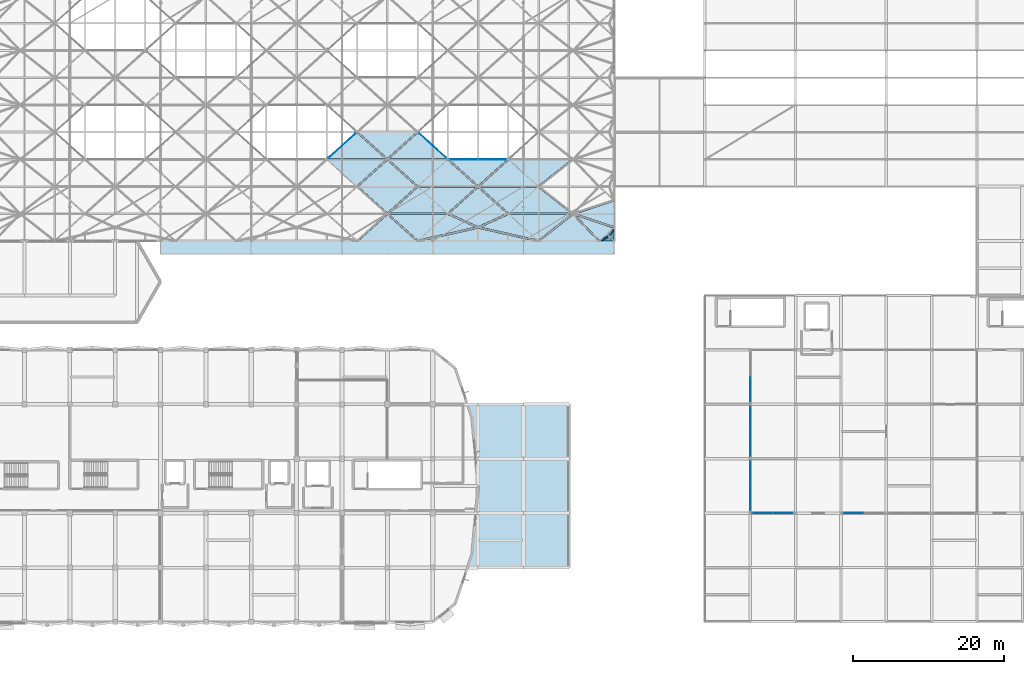
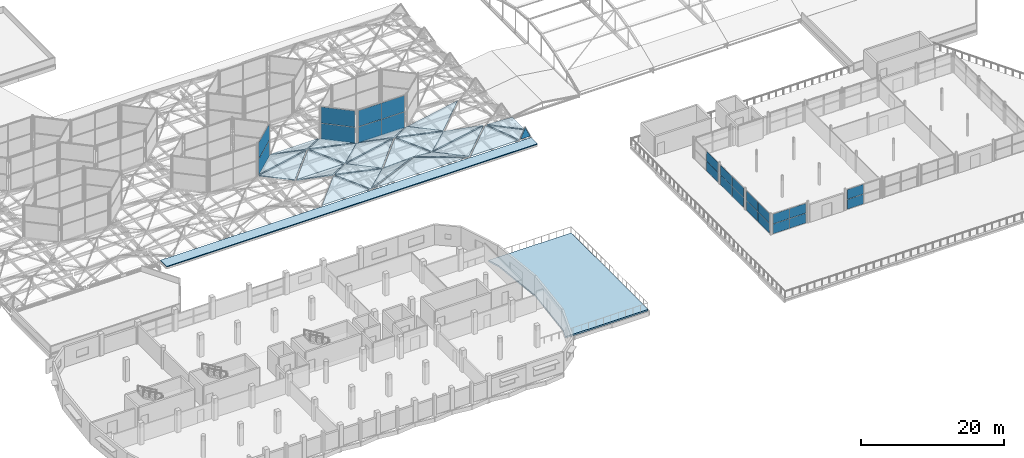
# One storey, part 211 of 239: 31 slabs, 24 plates, 8 elements without a shape of their own.
"""IFC4 building model written with IfcOpenShell, lengths in metres."""

from ifc_helpers import new_model, si_unit, direction, frame, origin, origin_2d, place, context, subcontext, project, spatial, polyline, rectangle, outline, extrude, material, layer, layer_set, type_object, element, aggregate, save


model = new_model("IFC4")

# Units and contexts
model_context = context("Model", 3, precision=1e-05, world=origin(), true_north=direction((0.0, 1.0)))
body_context = subcontext(model_context, "Body", "Model", "MODEL_VIEW")
ifc_project = project(units=[si_unit("LENGTHUNIT", "METRE"), si_unit("AREAUNIT", "SQUARE_METRE"), si_unit("VOLUMEUNIT", "CUBIC_METRE"), si_unit("PLANEANGLEUNIT", "RADIAN"), si_unit("MASSUNIT", "GRAM", prefix="KILO")], contexts=[model_context])

# Site, building, storey
site_placement = place(None, origin())
site = spatial("IfcSite", under=ifc_project, at=site_placement, CompositionType="ELEMENT")
building_placement = place(site_placement, origin())
building = spatial("IfcBuilding", under=site, at=building_placement, Name="Dunvalen Ferry Terminal", CompositionType="ELEMENT")
storey_placement = place(building_placement, frame((0.0, 0.0, 9.840087890625)))
storey = spatial("IfcBuildingStorey", under=building, at=storey_placement, Name="L02", CompositionType="ELEMENT", Elevation=9.840087890625)

# Curtain wall, plates
ifc_material_1 = material(Name="Anodised marine aluminium and solar-control glazing", Category="aluminium")
ifc_layer_1 = layer(ifc_material_1, 0.179931640625, Name="Anodised marine aluminium and solar-control glazing")
ifc_layer_set_1 = layer_set([ifc_layer_1], Name="Anodised marine aluminium and solar-control glazing")
curtain_wall_type_1 = type_object("IfcCurtainWallType", Name="ENV-CW-SYS-05", PredefinedType="NOTDEFINED", material=ifc_layer_set_1)
curtain_wall_1_placement = place(storey_placement, origin())
curtain_wall_1 = element("IfcCurtainWall", 1, at=curtain_wall_1_placement, inside=storey, type_object=curtain_wall_type_1, Name="L02 Curtain Wall CW-HEX-25-SK-3", PredefinedType="NOTDEFINED")
ifc_material_2 = material(Name="Low-E solar-control laminated double glazing", Category="glass")
ifc_layer_2 = layer(ifc_material_2, 0.0400390625, Name="Low-E solar-control laminated double glazing")
ifc_layer_set_2 = layer_set([ifc_layer_2], Name="Low-E solar-control laminated double glazing")
plate_type_1 = type_object("IfcPlateType", Name="ENV-CW-PNL-4", PredefinedType="CURTAIN_PANEL", material=ifc_layer_set_2)
plate_1_placement = place(storey_placement, frame((60.0, 63.0, 1.19970703125), z_axis=(0.0, 0.0, 1.0), x_axis=(0.74330420875, 0.668953550894, 0.0)))
plate_1 = element("IfcPlate", 2, at=plate_1_placement, type_object=plate_type_1, Name="CW-05 panel 1.1", PredefinedType="CURTAIN_PANEL", context=body_context, shape_type="SweptSolid", body=[
    extrude(rectangle(XDim=4.821533203125, YDim=0.0400390625, at=origin_2d()), origin(), (0.0, 0.0, 1.0), 2.760009765625),
])
plate_2_placement = place(storey_placement, frame((60.0, 63.0, 4.02001953125), z_axis=(0.0, 0.0, 1.0), x_axis=(0.74330420875, 0.668953550894, 0.0)))
plate_2 = element("IfcPlate", 3, at=plate_2_placement, type_object=plate_type_1, Name="CW-05 panel 1.2", PredefinedType="CURTAIN_PANEL", context=body_context, shape_type="SweptSolid", body=[
    extrude(rectangle(XDim=4.821533203125, YDim=0.0400390625, at=origin_2d()), origin(), (0.0, 0.0, 1.0), 2.760009765625),
])
aggregate(curtain_wall_1, [plate_1, plate_2])

curtain_wall_2_placement = place(storey_placement, origin())
curtain_wall_2 = element("IfcCurtainWall", 4, at=curtain_wall_2_placement, inside=storey, type_object=curtain_wall_type_1, Name="L02 Curtain Wall CW-HEX-36-SK-1", PredefinedType="NOTDEFINED")
plate_3_placement = place(storey_placement, frame((72.0, 63.0, 1.19970703125), z_axis=(0.0, 0.0, 1.0), x_axis=(0.74330420875, -0.668953550894, 0.0)))
plate_3 = element("IfcPlate", 5, at=plate_3_placement, type_object=plate_type_1, Name="CW-05 panel 1.1", PredefinedType="CURTAIN_PANEL", context=body_context, shape_type="SweptSolid", body=[
    extrude(rectangle(XDim=4.821533203125, YDim=0.0400390625, at=origin_2d()), origin(), (0.0, 0.0, 1.0), 2.760009765625),
])
plate_4_placement = place(storey_placement, frame((72.0, 63.0, 4.02001953125), z_axis=(0.0, 0.0, 1.0), x_axis=(0.74330420875, -0.668953550894, 0.0)))
plate_4 = element("IfcPlate", 6, at=plate_4_placement, type_object=plate_type_1, Name="CW-05 panel 1.2", PredefinedType="CURTAIN_PANEL", context=body_context, shape_type="SweptSolid", body=[
    extrude(rectangle(XDim=4.821533203125, YDim=0.0400390625, at=origin_2d()), origin(), (0.0, 0.0, 1.0), 2.760009765625),
])
aggregate(curtain_wall_2, [plate_3, plate_4])

ifc_layer_3 = layer(ifc_material_1, 0.179931640625, Name="Anodised marine aluminium and solar-control glazing")
ifc_layer_set_3 = layer_set([ifc_layer_3], Name="Anodised marine aluminium and solar-control glazing")
curtain_wall_type_2 = type_object("IfcCurtainWallType", Name="ENV-CW-SYS-06", PredefinedType="NOTDEFINED", material=ifc_layer_set_3)
curtain_wall_3_placement = place(storey_placement, origin())
curtain_wall_3 = element("IfcCurtainWall", 7, at=curtain_wall_3_placement, inside=storey, type_object=curtain_wall_type_2, Name="L02 Curtain Wall CW-HEX-36-SK-2", PredefinedType="NOTDEFINED")
plate_5_placement = place(storey_placement, frame((76.125, 61.199951171875, 1.19970703125), z_axis=(0.0, 0.0, 1.0), x_axis=(1.0, 0.0, 0.0)))
plate_5 = element("IfcPlate", 8, at=plate_5_placement, type_object=plate_type_1, Name="CW-06 panel 1.1", PredefinedType="CURTAIN_PANEL", context=body_context, shape_type="SweptSolid", body=[
    extrude(rectangle(XDim=3.68994140625, YDim=0.0400390625, at=origin_2d()), origin(), (0.0, 0.0, 1.0), 2.760009765625),
])
plate_6_placement = place(storey_placement, frame((76.125, 61.199951171875, 4.02001953125), z_axis=(0.0, 0.0, 1.0), x_axis=(1.0, 0.0, 0.0)))
plate_6 = element("IfcPlate", 9, at=plate_6_placement, type_object=plate_type_1, Name="CW-06 panel 1.2", PredefinedType="CURTAIN_PANEL", context=body_context, shape_type="SweptSolid", body=[
    extrude(rectangle(XDim=3.68994140625, YDim=0.0400390625, at=origin_2d()), origin(), (0.0, 0.0, 1.0), 2.760009765625),
])
plate_7_placement = place(storey_placement, frame((79.875, 61.199951171875, 1.19970703125), z_axis=(0.0, 0.0, 1.0), x_axis=(1.0, 0.0, 0.0)))
plate_7 = element("IfcPlate", 10, at=plate_7_placement, type_object=plate_type_1, Name="CW-06 panel 2.1", PredefinedType="CURTAIN_PANEL", context=body_context, shape_type="SweptSolid", body=[
    extrude(rectangle(XDim=3.68994140625, YDim=0.0400390625, at=origin_2d()), origin(), (0.0, 0.0, 1.0), 2.760009765625),
])
plate_8_placement = place(storey_placement, frame((79.875, 61.199951171875, 4.02001953125), z_axis=(0.0, 0.0, 1.0), x_axis=(1.0, 0.0, 0.0)))
plate_8 = element("IfcPlate", 11, at=plate_8_placement, type_object=plate_type_1, Name="CW-06 panel 2.2", PredefinedType="CURTAIN_PANEL", context=body_context, shape_type="SweptSolid", body=[
    extrude(rectangle(XDim=3.68994140625, YDim=0.0400390625, at=origin_2d()), origin(), (0.0, 0.0, 1.0), 2.760009765625),
])
aggregate(curtain_wall_3, [plate_5, plate_6, plate_7, plate_8])

ifc_layer_4 = layer(ifc_material_1, 0.159912109375, Name="Anodised marine aluminium and solar-control glazing")
ifc_layer_set_4 = layer_set([ifc_layer_4], Name="Anodised marine aluminium and solar-control glazing")
curtain_wall_type_3 = type_object("IfcCurtainWallType", Name="ENV-CW-SYS-09", PredefinedType="NOTDEFINED", material=ifc_layer_set_4)
curtain_wall_4_placement = place(storey_placement, origin())
curtain_wall_4 = element("IfcCurtainWall", 12, at=curtain_wall_4_placement, inside=storey, type_object=curtain_wall_type_3, Name="L02 Curtain Wall CW-PAV-S-1", PredefinedType="NOTDEFINED")
ifc_layer_5 = layer(ifc_material_2, 0.048095703125, Name="Low-E solar-control laminated double glazing")
ifc_layer_set_5 = layer_set([ifc_layer_5], Name="Low-E solar-control laminated double glazing")
plate_type_2 = type_object("IfcPlateType", Name="ENV-CW-PNL-6", PredefinedType="CURTAIN_PANEL", material=ifc_layer_set_5)
plate_9_placement = place(storey_placement, frame((115.663818359375, 14.39990234375, 0.054931640625), z_axis=(0.0, 0.0, 1.0), x_axis=(1.0, 0.0, 0.0)))
plate_9 = element("IfcPlate", 13, at=plate_9_placement, type_object=plate_type_2, Name="CW-09 panel 1.1", PredefinedType="CURTAIN_PANEL", context=body_context, shape_type="SweptSolid", body=[
    extrude(rectangle(XDim=2.617431640625, YDim=0.048095703125, at=origin_2d()), origin(), (0.0, 0.0, 1.0), 1.6474609375),
])
plate_10_placement = place(storey_placement, frame((115.663818359375, 14.39990234375, 1.75732421875), z_axis=(0.0, 0.0, 1.0), x_axis=(1.0, 0.0, 0.0)))
plate_10 = element("IfcPlate", 14, at=plate_10_placement, type_object=plate_type_2, Name="CW-09 panel 1.2", PredefinedType="CURTAIN_PANEL", context=body_context, shape_type="SweptSolid", body=[
    extrude(rectangle(XDim=2.617431640625, YDim=0.048095703125, at=origin_2d()), origin(), (0.0, 0.0, 1.0), 1.6474609375),
])
plate_11_placement = place(storey_placement, frame((118.336181640625, 14.39990234375, 0.054931640625), z_axis=(0.0, 0.0, 1.0), x_axis=(1.0, 0.0, 0.0)))
plate_11 = element("IfcPlate", 15, at=plate_11_placement, type_object=plate_type_2, Name="CW-09 panel 2.1", PredefinedType="CURTAIN_PANEL", context=body_context, shape_type="SweptSolid", body=[
    extrude(rectangle(XDim=2.617431640625, YDim=0.048095703125, at=origin_2d()), origin(), (0.0, 0.0, 1.0), 1.6474609375),
])
plate_12_placement = place(storey_placement, frame((118.336181640625, 14.39990234375, 1.75732421875), z_axis=(0.0, 0.0, 1.0), x_axis=(1.0, 0.0, 0.0)))
plate_12 = element("IfcPlate", 16, at=plate_12_placement, type_object=plate_type_2, Name="CW-09 panel 2.2", PredefinedType="CURTAIN_PANEL", context=body_context, shape_type="SweptSolid", body=[
    extrude(rectangle(XDim=2.617431640625, YDim=0.048095703125, at=origin_2d()), origin(), (0.0, 0.0, 1.0), 1.6474609375),
])
aggregate(curtain_wall_4, [plate_9, plate_10, plate_11, plate_12])

curtain_wall_5_placement = place(storey_placement, origin())
curtain_wall_5 = element("IfcCurtainWall", 17, at=curtain_wall_5_placement, inside=storey, type_object=curtain_wall_type_3, Name="L02 Curtain Wall CW-PAV-S-3", PredefinedType="NOTDEFINED")
plate_13_placement = place(storey_placement, frame((127.663818359375, 14.39990234375, 0.054931640625), z_axis=(0.0, 0.0, 1.0), x_axis=(1.0, 0.0, 0.0)))
plate_13 = element("IfcPlate", 18, at=plate_13_placement, type_object=plate_type_2, Name="CW-09 panel 1.1", PredefinedType="CURTAIN_PANEL", context=body_context, shape_type="SweptSolid", body=[
    extrude(rectangle(XDim=2.617431640625, YDim=0.048095703125, at=origin_2d()), origin(), (0.0, 0.0, 1.0), 1.6474609375),
])
plate_14_placement = place(storey_placement, frame((127.663818359375, 14.39990234375, 1.75732421875), z_axis=(0.0, 0.0, 1.0), x_axis=(1.0, 0.0, 0.0)))
plate_14 = element("IfcPlate", 19, at=plate_14_placement, type_object=plate_type_2, Name="CW-09 panel 1.2", PredefinedType="CURTAIN_PANEL", context=body_context, shape_type="SweptSolid", body=[
    extrude(rectangle(XDim=2.617431640625, YDim=0.048095703125, at=origin_2d()), origin(), (0.0, 0.0, 1.0), 1.6474609375),
])
aggregate(curtain_wall_5, [plate_13, plate_14])

ifc_layer_6 = layer(ifc_material_1, 0.159912109375, Name="Anodised marine aluminium and solar-control glazing")
ifc_layer_set_6 = layer_set([ifc_layer_6], Name="Anodised marine aluminium and solar-control glazing")
curtain_wall_type_4 = type_object("IfcCurtainWallType", Name="ENV-CW-SYS-10", PredefinedType="NOTDEFINED", material=ifc_layer_set_6)
curtain_wall_6_placement = place(storey_placement, origin())
curtain_wall_6 = element("IfcCurtainWall", 20, at=curtain_wall_6_placement, inside=storey, type_object=curtain_wall_type_4, Name="L02 Curtain Wall CW-PAV-W-1", PredefinedType="NOTDEFINED")
plate_15_placement = place(storey_placement, frame((114.0, 16.36376953125, 0.054931640625), z_axis=(0.0, 0.0, 1.0), x_axis=(0.0, 1.0, 0.0)))
plate_15 = element("IfcPlate", 21, at=plate_15_placement, type_object=plate_type_2, Name="CW-10 panel 1.1", PredefinedType="CURTAIN_PANEL", context=body_context, shape_type="SweptSolid", body=[
    extrude(rectangle(XDim=3.217529296875, YDim=0.048095703125, at=origin_2d()), origin(), (0.0, 0.0, 1.0), 1.6474609375),
])
plate_16_placement = place(storey_placement, frame((114.0, 16.36376953125, 1.75732421875), z_axis=(0.0, 0.0, 1.0), x_axis=(0.0, 1.0, 0.0)))
plate_16 = element("IfcPlate", 22, at=plate_16_placement, type_object=plate_type_2, Name="CW-10 panel 1.2", PredefinedType="CURTAIN_PANEL", context=body_context, shape_type="SweptSolid", body=[
    extrude(rectangle(XDim=3.217529296875, YDim=0.048095703125, at=origin_2d()), origin(), (0.0, 0.0, 1.0), 1.6474609375),
])
plate_17_placement = place(storey_placement, frame((114.0, 19.63623046875, 0.054931640625), z_axis=(0.0, 0.0, 1.0), x_axis=(0.0, 1.0, 0.0)))
plate_17 = element("IfcPlate", 23, at=plate_17_placement, type_object=plate_type_2, Name="CW-10 panel 2.1", PredefinedType="CURTAIN_PANEL", context=body_context, shape_type="SweptSolid", body=[
    extrude(rectangle(XDim=3.217529296875, YDim=0.048095703125, at=origin_2d()), origin(), (0.0, 0.0, 1.0), 1.6474609375),
])
plate_18_placement = place(storey_placement, frame((114.0, 19.63623046875, 1.75732421875), z_axis=(0.0, 0.0, 1.0), x_axis=(0.0, 1.0, 0.0)))
plate_18 = element("IfcPlate", 24, at=plate_18_placement, type_object=plate_type_2, Name="CW-10 panel 2.2", PredefinedType="CURTAIN_PANEL", context=body_context, shape_type="SweptSolid", body=[
    extrude(rectangle(XDim=3.217529296875, YDim=0.048095703125, at=origin_2d()), origin(), (0.0, 0.0, 1.0), 1.6474609375),
])
aggregate(curtain_wall_6, [plate_15, plate_16, plate_17, plate_18])

curtain_wall_7_placement = place(storey_placement, origin())
curtain_wall_7 = element("IfcCurtainWall", 25, at=curtain_wall_7_placement, inside=storey, type_object=curtain_wall_type_4, Name="L02 Curtain Wall CW-PAV-W-2", PredefinedType="NOTDEFINED")
plate_19_placement = place(storey_placement, frame((114.0, 23.563720703125, 0.054931640625), z_axis=(0.0, 0.0, 1.0), x_axis=(0.0, 1.0, 0.0)))
plate_19 = element("IfcPlate", 26, at=plate_19_placement, type_object=plate_type_2, Name="CW-10 panel 1.1", PredefinedType="CURTAIN_PANEL", context=body_context, shape_type="SweptSolid", body=[
    extrude(rectangle(XDim=3.217529296875, YDim=0.048095703125, at=origin_2d()), origin(), (0.0, 0.0, 1.0), 1.6474609375),
])
plate_20_placement = place(storey_placement, frame((114.0, 23.563720703125, 1.75732421875), z_axis=(0.0, 0.0, 1.0), x_axis=(0.0, 1.0, 0.0)))
plate_20 = element("IfcPlate", 27, at=plate_20_placement, type_object=plate_type_2, Name="CW-10 panel 1.2", PredefinedType="CURTAIN_PANEL", context=body_context, shape_type="SweptSolid", body=[
    extrude(rectangle(XDim=3.217529296875, YDim=0.048095703125, at=origin_2d()), origin(), (0.0, 0.0, 1.0), 1.6474609375),
])
plate_21_placement = place(storey_placement, frame((114.0, 26.836181640625, 0.054931640625), z_axis=(0.0, 0.0, 1.0), x_axis=(0.0, 1.0, 0.0)))
plate_21 = element("IfcPlate", 28, at=plate_21_placement, type_object=plate_type_2, Name="CW-10 panel 2.1", PredefinedType="CURTAIN_PANEL", context=body_context, shape_type="SweptSolid", body=[
    extrude(rectangle(XDim=3.217529296875, YDim=0.048095703125, at=origin_2d()), origin(), (0.0, 0.0, 1.0), 1.6474609375),
])
plate_22_placement = place(storey_placement, frame((114.0, 26.836181640625, 1.75732421875), z_axis=(0.0, 0.0, 1.0), x_axis=(0.0, 1.0, 0.0)))
plate_22 = element("IfcPlate", 29, at=plate_22_placement, type_object=plate_type_2, Name="CW-10 panel 2.2", PredefinedType="CURTAIN_PANEL", context=body_context, shape_type="SweptSolid", body=[
    extrude(rectangle(XDim=3.217529296875, YDim=0.048095703125, at=origin_2d()), origin(), (0.0, 0.0, 1.0), 1.6474609375),
])
aggregate(curtain_wall_7, [plate_19, plate_20, plate_21, plate_22])

curtain_wall_8_placement = place(storey_placement, origin())
curtain_wall_8 = element("IfcCurtainWall", 30, at=curtain_wall_8_placement, inside=storey, type_object=curtain_wall_type_4, Name="L02 Curtain Wall CW-PAV-W-3", PredefinedType="NOTDEFINED")
plate_23_placement = place(storey_placement, frame((114.0, 30.763671875, 0.054931640625), z_axis=(0.0, 0.0, 1.0), x_axis=(0.0, 1.0, 0.0)))
plate_23 = element("IfcPlate", 31, at=plate_23_placement, type_object=plate_type_2, Name="CW-10 panel 1.1", PredefinedType="CURTAIN_PANEL", context=body_context, shape_type="SweptSolid", body=[
    extrude(rectangle(XDim=3.217529296875, YDim=0.048095703125, at=origin_2d()), origin(), (0.0, 0.0, 1.0), 1.6474609375),
])
plate_24_placement = place(storey_placement, frame((114.0, 30.763671875, 1.75732421875), z_axis=(0.0, 0.0, 1.0), x_axis=(0.0, 1.0, 0.0)))
plate_24 = element("IfcPlate", 32, at=plate_24_placement, type_object=plate_type_2, Name="CW-10 panel 1.2", PredefinedType="CURTAIN_PANEL", context=body_context, shape_type="SweptSolid", body=[
    extrude(rectangle(XDim=3.217529296875, YDim=0.048095703125, at=origin_2d()), origin(), (0.0, 0.0, 1.0), 1.6474609375),
])
aggregate(curtain_wall_8, [plate_23, plate_24])

# Slabs
ifc_material_3 = material(Name="Precast concrete C40/50 - Cerulean Sea Marine Enamel", Category="concrete")
ifc_layer_7 = layer(ifc_material_3, 0.179931640625, Name="Precast concrete C40/50 - Cerulean Sea Marine Enamel")
ifc_layer_set_7 = layer_set([ifc_layer_7], Name="Precast concrete C40/50 - Cerulean Sea Marine Enamel")
slab_type_1 = type_object("IfcSlabType", Name="STR-ROOF-HEX-CERULEAN", PredefinedType="ROOF", material=ifc_layer_set_7)
slab_1_placement = place(storey_placement, frame((58.117919921875, 61.093994140625, 1.39697265625), z_axis=(-0.200317741298, -0.222548281592, 0.954120047416), x_axis=(0.743253811371, -0.669009545434, 0.0)))
element("IfcSlab", 33, at=slab_1_placement, inside=storey, type_object=slab_type_1, Name="HEX-30 Sea-Roof Pyramid Facet 1", PredefinedType="ROOF", context=body_context, shape_type="SweptSolid", body=[
    extrude(outline(polyline([(0.0, 0.0), (5.116661976626771, 4.440892098500626e-16), (5.653338011050778, 5.33331335219247), (0.0, 0.0)])), origin(), (0.0, 0.0, -1.0), 0.179931640625),
])
slab_2_placement = place(storey_placement, frame((62.157958984375, 57.60009765625, 1.39697265625), z_axis=(0.0, -0.422857435306, 0.906196220146), x_axis=(1.0, 0.0, 0.0)))
element("IfcSlab", 34, at=slab_2_placement, inside=storey, type_object=slab_type_1, Name="HEX-30 Sea-Roof Pyramid Facet 2", PredefinedType="ROOF", context=body_context, shape_type="SweptSolid", body=[
    extrude(outline(polyline([(0.0, 0.0), (7.68408203125, 0.0), (3.842041015625, 3.8146121474878703), (0.0, 0.0)])), origin(), (0.0, 0.0, -1.0), 0.179931640625),
])
slab_3_placement = place(storey_placement, frame((70.0791015625, 57.6708984375, 1.39697265625), z_axis=(0.200317741298, -0.222548281592, 0.954120047416), x_axis=(0.743253811371, 0.669009545434, 0.0)))
element("IfcSlab", 35, at=slab_3_placement, inside=storey, type_object=slab_type_1, Name="HEX-30 Sea-Roof Pyramid Facet 3", PredefinedType="ROOF", context=body_context, shape_type="SweptSolid", body=[
    extrude(outline(polyline([(0.0, 0.0), (5.116661976626771, -4.440892098500626e-16), (-0.5366760344240071, 5.333313352192469), (0.0, 0.0)])), origin(), (0.0, 0.0, -1.0), 0.179931640625),
])
slab_4_placement = place(storey_placement, frame((73.882080078125, 61.305908203125, 1.39697265625), z_axis=(0.200317741298, 0.222548281592, 0.954120047416), x_axis=(-0.743253811371, 0.669009545434, 0.0)))
element("IfcSlab", 36, at=slab_4_placement, inside=storey, type_object=slab_type_1, Name="HEX-30 Sea-Roof Pyramid Facet 4", PredefinedType="ROOF", context=body_context, shape_type="SweptSolid", body=[
    extrude(outline(polyline([(0.0, 0.0), (5.116661976626771, 4.440892098500626e-16), (5.653338011050778, 5.33331335219247), (0.0, 0.0)])), origin(), (0.0, 0.0, -1.0), 0.179931640625),
])
slab_5_placement = place(storey_placement, frame((69.842041015625, 64.800048828125, 1.39697265625), z_axis=(0.0, 0.422832911751, 0.906207663144), x_axis=(-1.0, 0.0, 0.0)))
element("IfcSlab", 37, at=slab_5_placement, inside=storey, type_object=slab_type_1, Name="HEX-30 Sea-Roof Pyramid Facet 5", PredefinedType="ROOF", context=body_context, shape_type="SweptSolid", body=[
    extrude(outline(polyline([(0.0, 0.0), (7.68408203125, 0.0), (3.842041015625, 3.8148333881963206), (0.0, 0.0)])), origin(), (0.0, 0.0, -1.0), 0.179931640625),
])
slab_6_placement = place(storey_placement, frame((61.9208984375, 64.72900390625, 1.39697265625), z_axis=(-0.200317741298, 0.222548281592, 0.954120047416), x_axis=(-0.743253811371, -0.669009545434, 0.0)))
element("IfcSlab", 38, at=slab_6_placement, inside=storey, type_object=slab_type_1, Name="HEX-30 Sea-Roof Pyramid Facet 6", PredefinedType="ROOF", context=body_context, shape_type="SweptSolid", body=[
    extrude(outline(polyline([(0.0, 0.0), (5.116661976626771, -4.440892098500626e-16), (-0.5366760344240071, 5.333313352192469), (0.0, 0.0)])), origin(), (0.0, 0.0, -1.0), 0.179931640625),
])
slab_7_placement = place(storey_placement, frame((82.117919921875, 53.89404296875, 1.39697265625), z_axis=(-0.188106426033, -0.208987755769, 0.959656235547), x_axis=(0.743263293857, -0.668999010466, 0.0)))
element("IfcSlab", 39, at=slab_7_placement, inside=storey, type_object=slab_type_1, Name="HEX-40 Sea-Roof Pyramid Facet 1", PredefinedType="ROOF", context=body_context, shape_type="SweptSolid", body=[
    extrude(outline(polyline([(0.0, 0.0), (5.115282813706228, 4.440892098500626e-16), (6.0553457314466606, 5.67944691384375), (0.0, 0.0)])), origin(), (0.0, 0.0, -1.0), 0.179931640625),
])
slab_8_placement = place(storey_placement, frame((86.1708984375, 50.39990234375, 1.39697265625), z_axis=(0.0, -0.422832911751, 0.906207663144), x_axis=(1.0, 0.0, 0.0)))
element("IfcSlab", 40, at=slab_8_placement, inside=storey, type_object=slab_type_1, Name="HEX-40 Sea-Roof Pyramid Facet 2", PredefinedType="ROOF", context=body_context, shape_type="SweptSolid", body=[
    extrude(outline(polyline([(0.0, 0.0), (7.68310546875, 0.0), (4.39013671875, 3.8148333881963206), (0.0, 0.0)])), origin(), (0.0, 0.0, -1.0), 0.179931640625),
])
slab_9_placement = place(storey_placement, frame((94.0791015625, 50.470947265625, 1.39697265625), z_axis=(0.214265048984, -0.238054631209, 0.947322796804), x_axis=(0.743269490538, 0.66899212584, 0.0)))
element("IfcSlab", 41, at=slab_9_placement, inside=storey, type_object=slab_type_1, Name="HEX-40 Sea-Roof Pyramid Facet 3", PredefinedType="ROOF", context=body_context, shape_type="SweptSolid", body=[
    extrude(outline(polyline([(0.0, 0.0), (2.461871511839899, 2.220446049250313e-16), (-0.1280760031532018, 4.801548632289756), (0.0, 0.0)])), origin(), (0.0, 0.0, -1.0), 0.179931640625),
])
slab_10_placement = place(storey_placement, frame((96.0, 52.31201171875, 1.39697265625), z_axis=(0.295652877219, 0.0, 0.955295439219), x_axis=(0.0, 1.0, 0.0)))
element("IfcSlab", 42, at=slab_10_placement, inside=storey, type_object=slab_type_1, Name="HEX-40 Sea-Roof Pyramid Facet 4", PredefinedType="ROOF", context=body_context, shape_type="SweptSolid", body=[
    extrude(outline(polyline([(0.0, 0.0), (3.3759765625, 0.0), (1.68798828125, 5.330331127498515), (0.0, 0.0)])), origin(), (0.0, 0.0, -1.0), 0.179931640625),
])
slab_11_placement = place(storey_placement, frame((85.919921875, 57.528076171875, 1.39697265625), z_axis=(-0.188106426033, 0.208987755769, 0.959656235547), x_axis=(-0.743263293857, -0.668999010466, 0.0)))
element("IfcSlab", 43, at=slab_11_placement, inside=storey, type_object=slab_type_1, Name="HEX-40 Sea-Roof Pyramid Facet 7", PredefinedType="ROOF", context=body_context, shape_type="SweptSolid", body=[
    extrude(outline(polyline([(0.0, 0.0), (5.115282813706228, -4.440892098500626e-16), (-0.9400629177404323, 5.67944691384375), (0.0, 0.0)])), origin(), (0.0, 0.0, -1.0), 0.179931640625),
])
slab_12_placement = place(storey_placement, frame((82.117919921875, 61.093994140625, 1.39697265625), z_axis=(-0.188105839848, -0.209002015122, 0.959653245027), x_axis=(0.743287026378, -0.668972642504, 0.0)))
element("IfcSlab", 44, at=slab_12_placement, inside=storey, type_object=slab_type_1, Name="HEX-41 Sea-Roof Pyramid Facet 1", PredefinedType="ROOF", context=body_context, shape_type="SweptSolid", body=[
    extrude(outline(polyline([(0.0, 0.0), (5.115119487088382, -4.440892098500626e-16), (6.055539079645212, 5.679240761704701), (0.0, 0.0)])), origin(), (0.0, 0.0, -1.0), 0.179931640625),
])
slab_13_placement = place(storey_placement, frame((96.0, 50.54296875, 1.39697265625), z_axis=(0.929487033132, 0.0, 0.368854788825), x_axis=(0.0, 1.0, 0.0)))
element("IfcSlab", 45, at=slab_13_placement, inside=storey, type_object=slab_type_1, Name="HEX-45 Sea-Roof Pyramid Facet 1", PredefinedType="ROOF", context=body_context, shape_type="SweptSolid", body=[
    extrude(outline(polyline([(0.0, 0.0), (1.43896484375, 0.0), (0.47900390625, 1.4449018977698007), (0.0, 0.0)])), origin(), (0.0, 0.0, -1.0), 0.179931640625),
])
slab_14_placement = place(storey_placement, frame((95.757080078125, 51.98193359375, 1.39697265625), z_axis=(-0.646691164987, 0.718155860557, 0.256987737208), x_axis=(-0.74311357977, -0.669165306604, 0.0)))
element("IfcSlab", 46, at=slab_14_placement, inside=storey, type_object=slab_type_1, Name="HEX-45 Sea-Roof Pyramid Facet 2", PredefinedType="ROOF", context=body_context, shape_type="SweptSolid", body=[
    extrude(outline(polyline([(0.0, 0.0), (2.017219814452428, -5.551115123125783e-17), (0.9730145207983824, 1.3027877679605961), (0.0, 0.0)])), origin(), (0.0, 0.0, -1.0), 0.179931640625),
])
slab_15_placement = place(storey_placement, frame((94.258056640625, 50.39990234375, 1.39697265625), z_axis=(0.0, -0.94170670353, 0.336434963295), x_axis=(1.0, 0.0, 0.0)))
element("IfcSlab", 47, at=slab_15_placement, inside=storey, type_object=slab_type_1, Name="HEX-45 Sea-Roof Pyramid Facet 3", PredefinedType="ROOF", context=body_context, shape_type="SweptSolid", body=[
    extrude(outline(polyline([(0.0, 0.0), (1.583984375, 0.0), (1.055908203125, 1.412153040209499), (0.0, 0.0)])), origin(), (0.0, 0.0, -1.0), 0.179931640625),
])
ifc_material_4 = material(Name="Precast concrete C40/50 - Pale Sea-Mist Marine Enamel", Category="concrete")
ifc_layer_8 = layer(ifc_material_4, 0.169921875, Name="Precast concrete C40/50 - Pale Sea-Mist Marine Enamel")
ifc_layer_set_8 = layer_set([ifc_layer_8], Name="Precast concrete C40/50 - Pale Sea-Mist Marine Enamel")
slab_type_2 = type_object("IfcSlabType", Name="STR-ROOF-HEX-SEAMIST", PredefinedType="ROOF", material=ifc_layer_set_8)
slab_16_placement = place(storey_placement, frame((62.157958984375, 50.39990234375, 1.386962890625), z_axis=(0.0, -0.422832911751, 0.906207663144), x_axis=(1.0, 0.0, 0.0)))
element("IfcSlab", 48, at=slab_16_placement, inside=storey, type_object=slab_type_2, Name="HEX-29 Sea-Roof Pyramid Facet 2", PredefinedType="ROOF", context=body_context, shape_type="SweptSolid", body=[
    extrude(outline(polyline([(0.0, 0.0), (7.68408203125, 0.0), (3.842041015625, 3.8148333881963206), (0.0, 0.0)])), origin(), (0.0, 0.0, -1.0), 0.169921875),
])
slab_17_placement = place(storey_placement, frame((70.0791015625, 50.470947265625, 1.386962890625), z_axis=(0.200317741298, -0.222548281592, 0.954120047416), x_axis=(0.743253811371, 0.669009545434, 0.0)))
element("IfcSlab", 49, at=slab_17_placement, inside=storey, type_object=slab_type_2, Name="HEX-29 Sea-Roof Pyramid Facet 3", PredefinedType="ROOF", context=body_context, shape_type="SweptSolid", body=[
    extrude(outline(polyline([(0.0, 0.0), (5.116661976626771, -4.440892098500626e-16), (-0.5366760344240071, 5.333313352192469), (0.0, 0.0)])), origin(), (0.0, 0.0, -1.0), 0.169921875),
])
slab_18_placement = place(storey_placement, frame((73.882080078125, 54.10595703125, 1.386962890625), z_axis=(0.200317741298, 0.222548281592, 0.954120047416), x_axis=(-0.743253811371, 0.669009545434, 0.0)))
element("IfcSlab", 50, at=slab_18_placement, inside=storey, type_object=slab_type_2, Name="HEX-29 Sea-Roof Pyramid Facet 4", PredefinedType="ROOF", context=body_context, shape_type="SweptSolid", body=[
    extrude(outline(polyline([(0.0, 0.0), (5.116661976626771, 4.440892098500626e-16), (5.653338011050778, 5.33331335219247), (0.0, 0.0)])), origin(), (0.0, 0.0, -1.0), 0.169921875),
])
slab_19_placement = place(storey_placement, frame((69.842041015625, 57.60009765625, 1.386962890625), z_axis=(0.0, 0.422832911751, 0.906207663144), x_axis=(-1.0, 0.0, 0.0)))
element("IfcSlab", 51, at=slab_19_placement, inside=storey, type_object=slab_type_2, Name="HEX-29 Sea-Roof Pyramid Facet 5", PredefinedType="ROOF", context=body_context, shape_type="SweptSolid", body=[
    extrude(outline(polyline([(0.0, 0.0), (7.68408203125, 0.0), (3.842041015625, 3.8148333881963206), (0.0, 0.0)])), origin(), (0.0, 0.0, -1.0), 0.169921875),
])
slab_20_placement = place(storey_placement, frame((70.48291015625, 50.39990234375, 1.386962890625), z_axis=(0.0, -0.682419756781, 0.730960515729), x_axis=(1.0, 0.0, 0.0)))
element("IfcSlab", 52, at=slab_20_placement, inside=storey, type_object=slab_type_2, Name="HEX-34 Sea-Roof Pyramid Facet 1", PredefinedType="ROOF", context=body_context, shape_type="SweptSolid", body=[
    extrude(outline(polyline([(0.0, 0.0), (15.0341796875, 0.0), (7.51708984375, 2.3136162254780874), (0.0, 0.0)])), origin(), (0.0, 0.0, -1.0), 0.169921875),
])
slab_21_placement = place(storey_placement, frame((85.839111328125, 50.544921875, 1.386962890625), z_axis=(0.258237566601, 0.286903672136, 0.922496418481), x_axis=(-0.743262892479, 0.6689994564, 0.0)))
element("IfcSlab", 53, at=slab_21_placement, inside=storey, type_object=slab_type_2, Name="HEX-34 Sea-Roof Pyramid Facet 2", PredefinedType="ROOF", context=body_context, shape_type="SweptSolid", body=[
    extrude(outline(polyline([(0.0, 0.0), (5.049591290109644, -4.440892098500626e-16), (6.708924772619506, 4.0826546327121624), (0.0, 0.0)])), origin(), (0.0, 0.0, -1.0), 0.169921875),
])
slab_22_placement = place(storey_placement, frame((81.741943359375, 54.0, 1.386962890625), z_axis=(0.0, 0.68236733422, 0.731009453557), x_axis=(-1.0, 0.0, 0.0)))
element("IfcSlab", 54, at=slab_22_placement, inside=storey, type_object=slab_type_2, Name="HEX-34 Sea-Roof Pyramid Facet 3", PredefinedType="ROOF", context=body_context, shape_type="SweptSolid", body=[
    extrude(outline(polyline([(0.0, 0.0), (7.48388671875, 0.0), (3.741943359375, 2.3037759950385164), (0.0, 0.0)])), origin(), (0.0, 0.0, -1.0), 0.169921875),
])
slab_23_placement = place(storey_placement, frame((73.9140625, 53.923095703125, 1.386962890625), z_axis=(-0.258237566601, 0.286903672136, 0.922496418481), x_axis=(-0.743262892479, -0.6689994564, 0.0)))
element("IfcSlab", 55, at=slab_23_placement, inside=storey, type_object=slab_type_2, Name="HEX-34 Sea-Roof Pyramid Facet 4", PredefinedType="ROOF", context=body_context, shape_type="SweptSolid", body=[
    extrude(outline(polyline([(0.0, 0.0), (5.049591290109644, 4.440892098500626e-16), (-1.659333482509861, 4.0826546327121624), (0.0, 0.0)])), origin(), (0.0, 0.0, -1.0), 0.169921875),
])
slab_24_placement = place(storey_placement, frame((70.117919921875, 57.493896484375, 1.386962890625), z_axis=(-0.200317033625, -0.222563368957, 0.954116676743), x_axis=(0.743277537566, -0.668983185252, 0.0)))
element("IfcSlab", 56, at=slab_24_placement, inside=storey, type_object=slab_type_2, Name="HEX-35 Sea-Roof Pyramid Facet 1", PredefinedType="ROOF", context=body_context, shape_type="SweptSolid", body=[
    extrude(outline(polyline([(0.0, 0.0), (5.116498647435961, 0.0), (5.65351847726143, 5.333122050650035), (0.0, 0.0)])), origin(), (0.0, 0.0, -1.0), 0.169921875),
])
slab_25_placement = place(storey_placement, frame((74.157958984375, 54.0, 1.386962890625), z_axis=(0.0, -0.422832911751, 0.906207663144), x_axis=(1.0, 0.0, 0.0)))
element("IfcSlab", 57, at=slab_25_placement, inside=storey, type_object=slab_type_2, Name="HEX-35 Sea-Roof Pyramid Facet 2", PredefinedType="ROOF", context=body_context, shape_type="SweptSolid", body=[
    extrude(outline(polyline([(0.0, 0.0), (7.68408203125, 0.0), (3.842041015625, 3.8148333881963206), (0.0, 0.0)])), origin(), (0.0, 0.0, -1.0), 0.169921875),
])
slab_26_placement = place(storey_placement, frame((82.0791015625, 54.071044921875, 1.386962890625), z_axis=(0.200317033625, -0.222563368957, 0.954116676743), x_axis=(0.743277537566, 0.668983185252, 0.0)))
element("IfcSlab", 58, at=slab_26_placement, inside=storey, type_object=slab_type_2, Name="HEX-35 Sea-Roof Pyramid Facet 3", PredefinedType="ROOF", context=body_context, shape_type="SweptSolid", body=[
    extrude(outline(polyline([(0.0, 0.0), (5.116498647435961, 0.0), (-0.5370198298254691, 5.333122050650035), (0.0, 0.0)])), origin(), (0.0, 0.0, -1.0), 0.169921875),
])
slab_27_placement = place(storey_placement, frame((85.882080078125, 57.7060546875, 1.386962890625), z_axis=(0.200317033625, 0.222563368957, 0.954116676743), x_axis=(-0.743277537566, 0.668983185252, 0.0)))
element("IfcSlab", 59, at=slab_27_placement, inside=storey, type_object=slab_type_2, Name="HEX-35 Sea-Roof Pyramid Facet 4", PredefinedType="ROOF", context=body_context, shape_type="SweptSolid", body=[
    extrude(outline(polyline([(0.0, 0.0), (5.116498647435961, 0.0), (5.65351847726143, 5.333122050650035), (0.0, 0.0)])), origin(), (0.0, 0.0, -1.0), 0.169921875),
])
slab_28_placement = place(storey_placement, frame((81.842041015625, 61.199951171875, 1.386962890625), z_axis=(0.0, 0.422832911751, 0.906207663144), x_axis=(-1.0, 0.0, 0.0)))
element("IfcSlab", 60, at=slab_28_placement, inside=storey, type_object=slab_type_2, Name="HEX-35 Sea-Roof Pyramid Facet 5", PredefinedType="ROOF", context=body_context, shape_type="SweptSolid", body=[
    extrude(outline(polyline([(0.0, 0.0), (7.68408203125, 0.0), (3.842041015625, 3.8148333881963206), (0.0, 0.0)])), origin(), (0.0, 0.0, -1.0), 0.169921875),
])
slab_29_placement = place(storey_placement, frame((73.9208984375, 61.12890625, 1.386962890625), z_axis=(-0.200317033625, 0.222563368957, 0.954116676743), x_axis=(-0.743277537566, -0.668983185252, 0.0)))
element("IfcSlab", 61, at=slab_29_placement, inside=storey, type_object=slab_type_2, Name="HEX-35 Sea-Roof Pyramid Facet 6", PredefinedType="ROOF", context=body_context, shape_type="SweptSolid", body=[
    extrude(outline(polyline([(0.0, 0.0), (5.116498647435961, 0.0), (-0.5370198298254691, 5.333122050650035), (0.0, 0.0)])), origin(), (0.0, 0.0, -1.0), 0.169921875),
])
ifc_material_5 = material(Name="Precast concrete C40/50", Category="concrete")
ifc_layer_9 = layer(ifc_material_5, 0.14990234375, Name="Precast concrete C40/50")
ifc_layer_set_9 = layer_set([ifc_layer_9], Name="Precast concrete C40/50")
slab_type_3 = type_object("IfcSlabType", Name="STR-ROOF-VAULT", PredefinedType="ROOF", material=ifc_layer_set_9)
slab_30_placement = place(storey_placement, frame((0.0, 0.0, 1.0)))
element("IfcSlab", 62, at=slab_30_placement, inside=storey, type_object=slab_type_3, Name="Departure Hall Thin Projecting South Eave Slab", PredefinedType="ROOF", context=body_context, shape_type="SweptSolid", body=[
    extrude(outline(polyline([(36.0, 48.60009765625), (96.0, 48.60009765625), (96.0, 50.3798828125), (36.0, 50.3798828125), (36.0, 48.60009765625)])), origin(), (0.0, 0.0, 1.0), 0.14990234375),
])
ifc_material_6 = material(Name="Concrete C40/50", Category="concrete")
ifc_layer_10 = layer(ifc_material_6, 0.239990234375, Name="Concrete C40/50")
ifc_layer_set_10 = layer_set([ifc_layer_10], Name="Concrete C40/50")
slab_type_4 = type_object("IfcSlabType", Name="STR-SLB-BRG240", PredefinedType="FLOOR", material=ifc_layer_set_10)
slab_31_placement = place(storey_placement, frame((0.0, 0.0, -0.260009765625)))
element("IfcSlab", 63, at=slab_31_placement, inside=storey, type_object=slab_type_4, Name="L02 Maritime Operations East Prow Terrace Slab", PredefinedType="FLOOR", context=body_context, shape_type="SweptSolid", body=[
    extrude(outline(polyline([(76.59619140625, 28.800048828125), (77.1962890625, 27.0), (78.0, 18.0), (77.1962890625, 9.0), (76.59619140625, 7.199951171875), (90.0, 7.199951171875), (90.0, 28.800048828125), (76.59619140625, 28.800048828125)])), origin(), (0.0, 0.0, 1.0), 0.260009765625),
])

save(model, "model.ifc")
